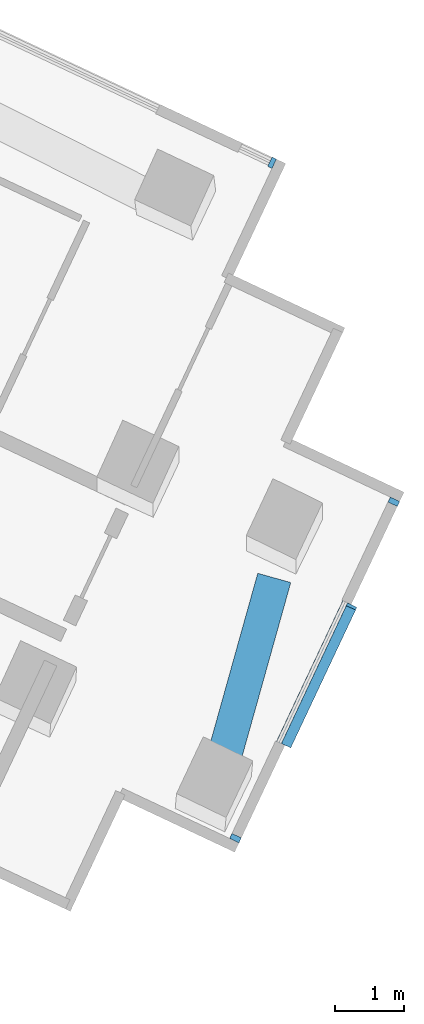
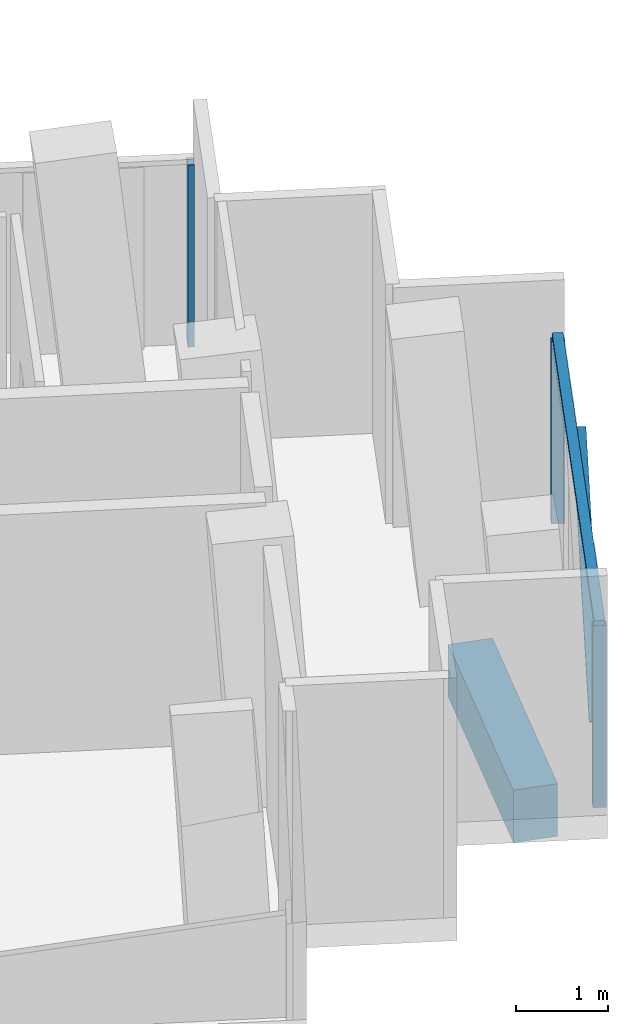
# One storey, part 11 of 26: 5 members, 1 beam, 2 elements without a shape of their own.
"""IFC4 building model written with IfcOpenShell, lengths in metres."""

from ifc_helpers import new_model, si_unit, direction, frame, origin, origin_2d, place, context, subcontext, project, spatial, rectangle, extrude, material, layer, layer_set, material_profile, profile_set, type_object, element, aggregate, save


model = new_model("IFC4")

# Units and contexts
model_context = context("Model", 3, precision=1e-05, world=origin(), true_north=direction((0.0, 1.0)))
body_context = subcontext(model_context, "Body", "Model", "MODEL_VIEW")
ifc_project = project(units=[si_unit("LENGTHUNIT", "METRE"), si_unit("AREAUNIT", "SQUARE_METRE"), si_unit("VOLUMEUNIT", "CUBIC_METRE"), si_unit("PLANEANGLEUNIT", "RADIAN"), si_unit("MASSUNIT", "GRAM", prefix="KILO")], contexts=[model_context])

# Site, building, storey
site_placement = place(None, origin())
site = spatial("IfcSite", under=ifc_project, at=site_placement, CompositionType="ELEMENT")
building_placement = place(site_placement, origin())
building = spatial("IfcBuilding", under=site, at=building_placement, Name="Verdalira Terraces Hotel", CompositionType="ELEMENT")
storey_placement = place(building_placement, frame((0.0, 0.0, 53.0)))
storey = spatial("IfcBuildingStorey", under=building, at=storey_placement, Name="L11", CompositionType="ELEMENT", Elevation=53.0)

# Curtain wall, member
ifc_material_1 = material(Name="Clear glass", Category="glass")
ifc_layer_1 = layer(ifc_material_1, 0.14990234375)
ifc_layer_set_1 = layer_set([ifc_layer_1], Name="CW2 curtain wall")
curtain_wall_type_1 = type_object("IfcCurtainWallType", Name="CW2 curtain wall", PredefinedType="NOTDEFINED", material=ifc_layer_set_1)
curtain_wall_1_placement = place(storey_placement, origin())
curtain_wall_1 = element("IfcCurtainWall", 1, at=curtain_wall_1_placement, inside=storey, type_object=curtain_wall_type_1, Name="CW2 curtain wall L11 edge 38", PredefinedType="NOTDEFINED")
ifc_material_2 = material(Name="Terracotta frame", Category="masonry")
ifc_material_profile_1 = material_profile(ifc_material_2, rectangle(XDim=0.070068, YDim=0.149902, at=origin_2d()), Name="MU 70x150")
ifc_profile_set_1 = profile_set([ifc_material_profile_1], Name="Terracotta frame")
member_type_1 = type_object("IfcMemberType", Name="CW2 mullion 70x150", PredefinedType="MULLION", material=ifc_profile_set_1)
member_1_placement = place(storey_placement, frame((34.048096, -8.920898, 0.0), z_axis=(0.0, 0.0, 1.0), x_axis=(-0.904827052, 0.425779292, 0.0)))
member_1 = element("IfcMember", 2, at=member_1_placement, type_object=member_type_1, Name="CW2 mullion", PredefinedType="MULLION", context=body_context, shape_type="SweptSolid", body=[
    extrude(rectangle(XDim=0.070068, YDim=0.149902, at=origin_2d()), origin(), (0.0, 0.0, 1.0), 2.425049),
])
aggregate(curtain_wall_1, [member_1])

# Curtain wall, members
ifc_material_3 = material(Name="Clear glass", Category="glass")
ifc_layer_2 = layer(ifc_material_3, 0.14990234375)
ifc_layer_set_2 = layer_set([ifc_layer_2], Name="CW3 curtain wall")
curtain_wall_type_2 = type_object("IfcCurtainWallType", Name="CW3 curtain wall", PredefinedType="NOTDEFINED", material=ifc_layer_set_2)
curtain_wall_2_placement = place(storey_placement, origin())
curtain_wall_2 = element("IfcCurtainWall", 3, at=curtain_wall_2_placement, inside=storey, type_object=curtain_wall_type_2, Name="CW3 curtain wall L11 edge 33", PredefinedType="NOTDEFINED")
ifc_material_4 = material(Name="Terracotta frame", Category="masonry")
ifc_material_profile_2 = material_profile(ifc_material_4, rectangle(XDim=0.080078, YDim=0.149902, at=origin_2d()), Name="MU 80x150")
ifc_profile_set_2 = profile_set([ifc_material_profile_2], Name="Terracotta frame")
member_type_2 = type_object("IfcMemberType", Name="CW3 mullion 80x150", PredefinedType="MULLION", material=ifc_profile_set_2)
member_2_placement = place(storey_placement, frame((33.515381, -18.766357, 0.0), z_axis=(0.0, 0.0, 1.0), x_axis=(0.425779292, 0.904827052, 0.0)))
member_2 = element("IfcMember", 4, at=member_2_placement, type_object=member_type_2, Name="CW3 mullion", PredefinedType="MULLION", context=body_context, shape_type="SweptSolid", body=[
    extrude(rectangle(XDim=0.080078, YDim=0.149902, at=origin_2d()), origin(), (0.0, 0.0, 1.0), 2.425049),
])
member_3_placement = place(storey_placement, frame((35.823242, -13.862061, 0.0), z_axis=(0.0, 0.0, 1.0), x_axis=(0.425779292, 0.904827052, 0.0)))
member_3 = element("IfcMember", 5, at=member_3_placement, type_object=member_type_2, Name="CW3 mullion", PredefinedType="MULLION", context=body_context, shape_type="SweptSolid", body=[
    extrude(rectangle(XDim=0.080078, YDim=0.149902, at=origin_2d()), origin(), (0.0, 0.0, 1.0), 2.425049),
])
ifc_material_5 = material(Name="Terracotta frame", Category="masonry")
ifc_material_profile_3 = material_profile(ifc_material_5, rectangle(XDim=0.120117, YDim=0.064941, at=origin_2d()), Name="TR 65x120")
ifc_profile_set_3 = profile_set([ifc_material_profile_3], Name="Terracotta frame")
member_type_3 = type_object("IfcMemberType", Name="CW3 transom 65x120", PredefinedType="USERDEFINED", material=ifc_profile_set_3)
member_4_placement = place(storey_placement, frame((33.498535, -18.80249, 2.45752), z_axis=(0.425779935, 0.90482675, 0.0), x_axis=(-0.90482675, 0.425779935, 0.0)))
member_4 = element("IfcMember", 6, at=member_4_placement, type_object=member_type_3, Name="CW3 transom", ObjectType="TRANSOM", PredefinedType="USERDEFINED", context=body_context, shape_type="SweptSolid", body=[
    extrude(rectangle(XDim=0.120117, YDim=0.064941, at=origin_2d()), origin(), (0.0, 0.0, 1.0), 5.5),
])
ifc_material_6 = material(Name="Terracotta frame", Category="masonry")
ifc_material_profile_4 = material_profile(ifc_material_6, rectangle(XDim=0.149902, YDim=0.060059, at=origin_2d()), Name="GB 60x150")
ifc_profile_set_4 = profile_set([ifc_material_profile_4], Name="Terracotta frame")
member_type_4 = type_object("IfcMemberType", Name="Diagonal glazing bar 60x150", PredefinedType="USERDEFINED", material=ifc_profile_set_4)
member_5_placement = place(storey_placement, frame((34.262207, -17.397949, 0.024902), z_axis=(0.290795212, 0.61793044, 0.730479374), x_axis=(-0.904816211, 0.425802331, 0.0)))
member_5 = element("IfcMember", 7, at=member_5_placement, type_object=member_type_4, Name="Diagonal glazing bar", ObjectType="GLAZING BAR", PredefinedType="USERDEFINED", context=body_context, shape_type="SweptSolid", body=[
    extrude(rectangle(XDim=0.149902, YDim=0.060059, at=origin_2d()), origin(), (0.0, 0.0, 1.0), 3.251709),
])
aggregate(curtain_wall_2, [member_2, member_3, member_4, member_5])

# Beam
ifc_material_7 = material(Name="Concrete C70", Category="concrete")
ifc_material_profile_5 = material_profile(ifc_material_7, rectangle(XDim=0.5, YDim=0.699951, at=origin_2d()), Name="RC 500X700")
ifc_profile_set_5 = profile_set([ifc_material_profile_5], Name="Concrete C70")
beam_type = type_object("IfcBeamType", Name="Spandrel beam RC 500X700 C70", PredefinedType="SPANDREL", material=ifc_profile_set_5)
beam_placement = place(storey_placement, frame((33.308594, -17.731201, -0.659912), z_axis=(0.269427645, 0.963020635, 0.0), x_axis=(-0.963020635, 0.269427645, 0.0)))
element("IfcBeam", 8, at=beam_placement, inside=storey, type_object=beam_type, Name="Spandrel beam B27", PredefinedType="SPANDREL", context=body_context, shape_type="SweptSolid", body=[
    extrude(rectangle(XDim=0.5, YDim=0.699951, at=origin_2d()), origin(), (0.0, 0.0, 1.0), 2.865234),
])

save(model, "model.ifc")
